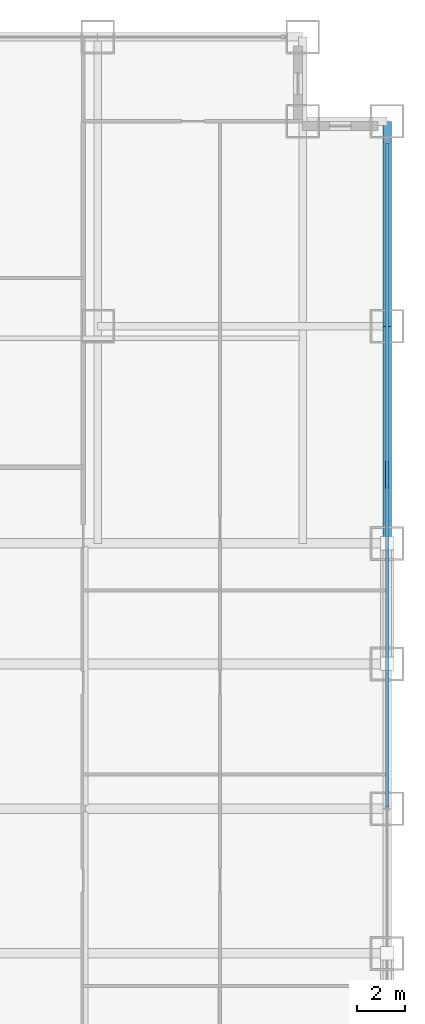
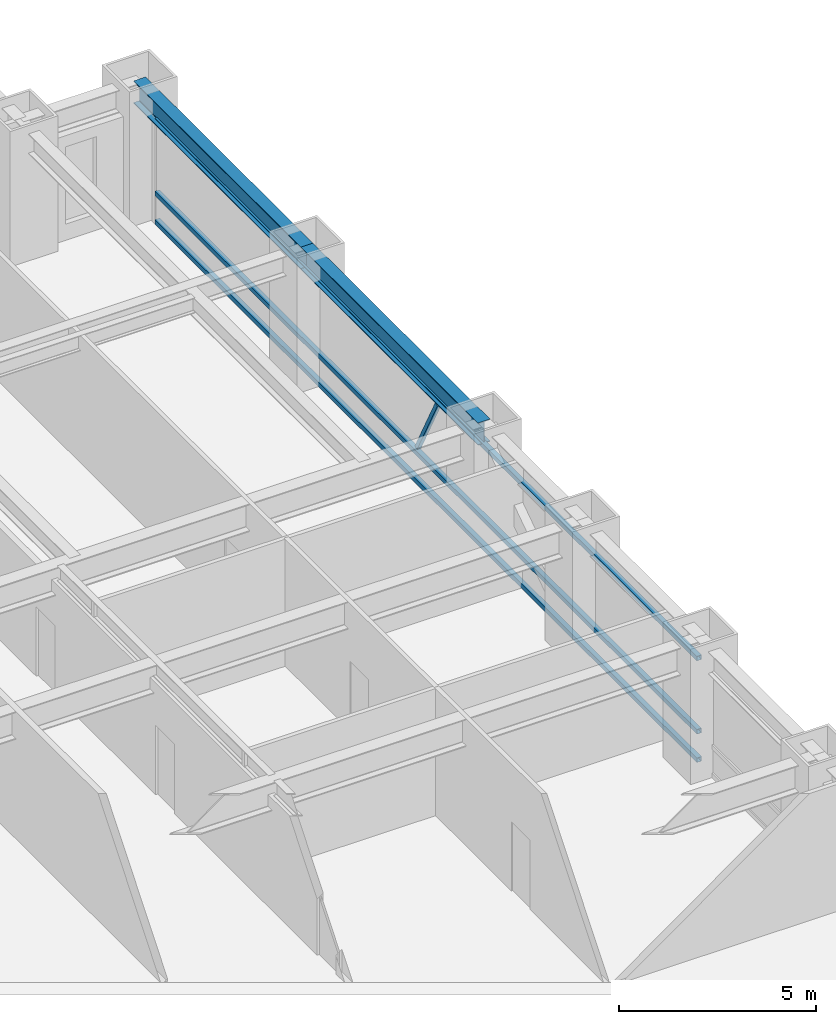
# One storey, part 15 of 28: 4 members, 2 beams, 1 element without a shape of its own.
"""IFC4 building model written with IfcOpenShell, lengths in metres."""

from ifc_helpers import new_model, si_unit, direction, frame, origin, origin_2d, place, context, subcontext, project, spatial, hollow_rectangle, i_section, extrude, source, transform, mapped, material, material_profile, profile_set, type_object, element, aggregate, save


model = new_model("IFC4")

# Units and contexts
model_context = context("Model", 3, precision=1e-05, world=origin(), true_north=direction((0.0, 1.0)))
body_context = subcontext(model_context, "Body", "Model", "MODEL_VIEW")
ifc_project = project(units=[si_unit("LENGTHUNIT", "METRE"), si_unit("AREAUNIT", "SQUARE_METRE"), si_unit("VOLUMEUNIT", "CUBIC_METRE"), si_unit("PLANEANGLEUNIT", "RADIAN"), si_unit("MASSUNIT", "GRAM", prefix="KILO")], contexts=[model_context])

# Site, building, storey
site_placement = place(None, origin())
site = spatial("IfcSite", under=ifc_project, at=site_placement, CompositionType="ELEMENT")
building_placement = place(site_placement, origin())
building = spatial("IfcBuilding", under=site, at=building_placement, Name="Khorayat Bourse Tower", CompositionType="ELEMENT")
storey_placement = place(building_placement, frame((0.0, 0.0, 83.0)))
storey = spatial("IfcBuildingStorey", under=building, at=storey_placement, Name="L18", CompositionType="ELEMENT", Elevation=83.0)

# Beams
ifc_material_1 = material(Name="Steel ASTM A992 Grade 50", Category="steel")
ifc_material_profile_1 = material_profile(ifc_material_1, i_section(OverallWidth=0.35498046875, OverallDepth=0.695068359375, WebThickness=0.015380859375, FlangeThickness=0.02490234375, FilletRadius=0.01806640625, at=origin_2d()), Name="W690X217")
ifc_profile_set_1 = profile_set([ifc_material_profile_1], Name="Steel ASTM A992 Grade 50")
beam_type = type_object("IfcBeamType", Name="BM-SPAN-690", PredefinedType="SPANDREL", material=ifc_profile_set_1)
shared_shape_1 = source(origin(), body_context, "Body", "SweptSolid", [
    extrude(i_section(OverallWidth=0.35498046875, OverallDepth=0.695068359375, WebThickness=0.015380859375, FlangeThickness=0.02490234375, FilletRadius=0.01806640625, at=origin_2d()), origin(), (0.0, 0.0, 1.0), 8.5),
])
beam_1_placement = place(storey_placement, frame((32.0, 20.0, 3.592529296875), z_axis=(0.0, 1.0, 0.0), x_axis=(-1.0, 0.0, 0.0)))
element("IfcBeam", 1, at=beam_1_placement, inside=storey, type_object=beam_type, Name="L18 BM-SPAN-690 BM-L18-SPN-041", PredefinedType="SPANDREL", context=body_context, shape_type="MappedRepresentation", body=[
    mapped(shared_shape_1, transform((0.0, 0.0, 0.0), scale=1.0)),
])
shared_shape_2 = source(origin(), body_context, "Body", "SweptSolid", [
    extrude(i_section(OverallWidth=0.35498046875, OverallDepth=0.695068359375, WebThickness=0.015380859375, FlangeThickness=0.02490234375, FilletRadius=0.01806640625, at=origin_2d()), origin(), (0.0, 0.0, 1.0), 9.0),
])
beam_2_placement = place(storey_placement, frame((32.0, 11.0, 3.592529296875), z_axis=(0.0, 1.0, 0.0), x_axis=(-1.0, 0.0, 0.0)))
element("IfcBeam", 2, at=beam_2_placement, inside=storey, type_object=beam_type, Name="L18 BM-SPAN-690 BM-L18-SPN-040", PredefinedType="SPANDREL", context=body_context, shape_type="MappedRepresentation", body=[
    mapped(shared_shape_2, transform((0.0, 0.0, 0.0), scale=1.0)),
])

# Curtain wall, members
ifc_material_2 = material(Name="Aluminium EN AW-6063 T6", Category="aluminium")
curtain_wall_type = type_object("IfcCurtainWallType", Name="CW-SYS-02", PredefinedType="NOTDEFINED", material=ifc_material_2)
curtain_wall_placement = place(storey_placement, origin())
curtain_wall = element("IfcCurtainWall", 3, at=curtain_wall_placement, inside=storey, type_object=curtain_wall_type, Name="L18 Curtain Wall CW-L18-E1", PredefinedType="NOTDEFINED")
ifc_material_profile_2 = material_profile(ifc_material_2, hollow_rectangle(XDim=0.1201171875, YDim=0.1201171875, WallThickness=0.0048828125, at=origin_2d()), Name="ALU 120x120x5")
ifc_profile_set_2 = profile_set([ifc_material_profile_2], Name="Aluminium EN AW-6063 T6")
member_type_1 = type_object("IfcMemberType", Name="CWM-DIAG-120", PredefinedType="MULLION", material=ifc_profile_set_2)
shared_shape_3 = source(origin(), body_context, "Body", "SweptSolid", [
    extrude(hollow_rectangle(XDim=0.1201171875, YDim=0.1201171875, WallThickness=0.0048828125, at=origin_2d()), origin(), (0.0, 0.0, 1.0), 2.22607421875),
])
member_1_placement = place(storey_placement, frame((32.0, 14.3583984375, 1.10009765625), z_axis=(0.0, -0.465759992596, 0.884911085532), x_axis=(1.0, 0.0, 0.0)))
member_1 = element("IfcMember", 4, at=member_1_placement, type_object=member_type_1, Name="CW-L18-E1 Faceted Diagonal Mullion 2", PredefinedType="MULLION", context=body_context, shape_type="MappedRepresentation", body=[
    mapped(shared_shape_3, transform((0.0, 0.0, 0.0), scale=1.0)),
])
ifc_material_profile_3 = material_profile(ifc_material_2, hollow_rectangle(XDim=0.139892578125, YDim=0.139892578125, WallThickness=0.006103515625, at=origin_2d()), Name="ALU 140x140x6")
ifc_profile_set_3 = profile_set([ifc_material_profile_3], Name="Aluminium EN AW-6063 T6")
member_type_2 = type_object("IfcMemberType", Name="CWT-HORZ-140", PredefinedType="USERDEFINED", material=ifc_profile_set_3)
shared_shape_4 = source(origin(), body_context, "Body", "SweptSolid", [
    extrude(hollow_rectangle(XDim=0.139892578125, YDim=0.139892578125, WallThickness=0.006103515625, at=origin_2d()), origin(), (0.0, 0.0, 1.0), 27.5400390625),
])
member_2_placement = place(storey_placement, frame((32.0, 0.070068359375, 0.070068359375), z_axis=(0.0, 1.0, 0.0), x_axis=(-1.0, 0.0, 0.0)))
member_2 = element("IfcMember", 5, at=member_2_placement, type_object=member_type_2, Name="CW-L18-E1 Horizontal Transom 2-1", ObjectType="TRANSOM", PredefinedType="USERDEFINED", context=body_context, shape_type="MappedRepresentation", body=[
    mapped(shared_shape_4, transform((0.0, 0.0, 0.0), scale=1.0)),
])
member_3_placement = place(storey_placement, frame((32.0, 0.070068359375, 0.949951171875), z_axis=(0.0, 1.0, 0.0), x_axis=(-1.0, 0.0, 0.0)))
member_3 = element("IfcMember", 6, at=member_3_placement, type_object=member_type_2, Name="CW-L18-E1 Horizontal Transom 2-2", ObjectType="TRANSOM", PredefinedType="USERDEFINED", context=body_context, shape_type="MappedRepresentation", body=[
    mapped(shared_shape_4, transform((0.0, 0.0, 0.0), scale=1.0)),
])
member_4_placement = place(storey_placement, frame((32.0, 0.070068359375, 3.219970703125), z_axis=(0.0, 1.0, 0.0), x_axis=(-1.0, 0.0, 0.0)))
member_4 = element("IfcMember", 7, at=member_4_placement, type_object=member_type_2, Name="CW-L18-E1 Horizontal Transom 2-3", ObjectType="TRANSOM", PredefinedType="USERDEFINED", context=body_context, shape_type="MappedRepresentation", body=[
    mapped(shared_shape_4, transform((0.0, 0.0, 0.0), scale=1.0)),
])
aggregate(curtain_wall, [member_2, member_3, member_4, member_1])

save(model, "model.ifc")
